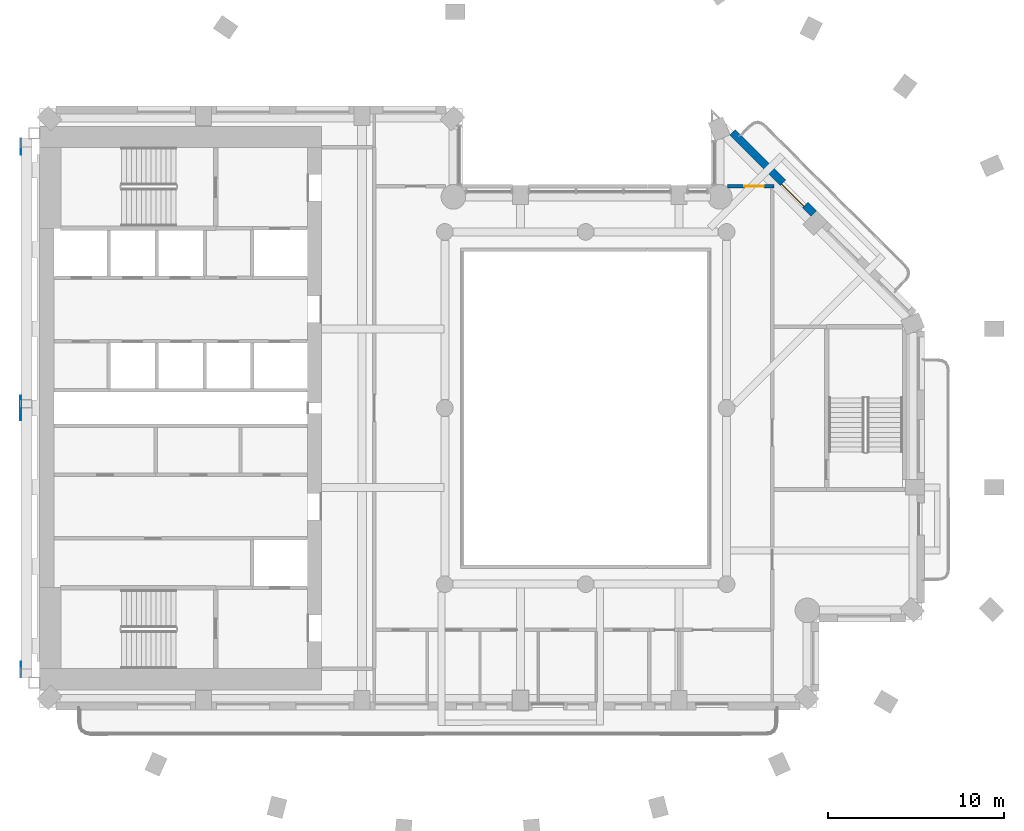
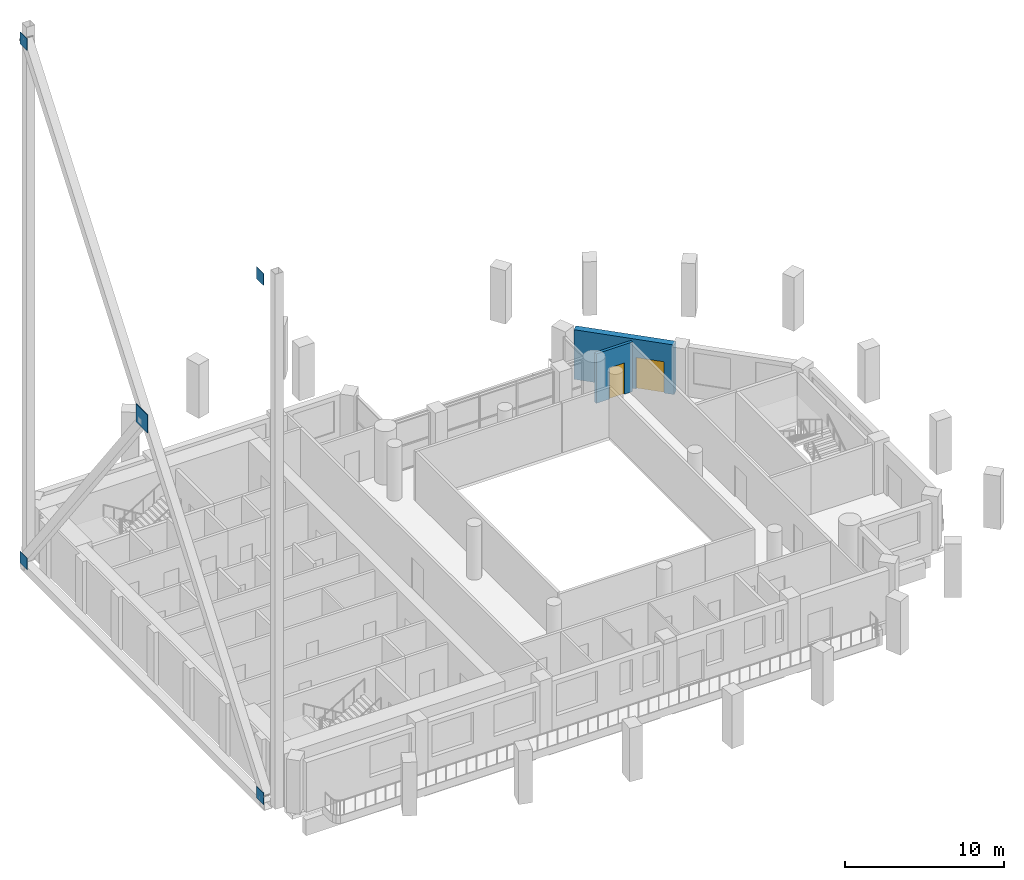
# One storey, part 7 of 16: 5 discrete accessories, 2 doors, 2 walls, 2 openings.
"""IFC4 building model written with IfcOpenShell, lengths in metres."""

from ifc_helpers import new_model, si_unit, direction, frame, frame_2d, origin, origin_2d, place, context, subcontext, project, spatial, rectangle, extrude, material, layer, layer_set, material_profile, profile_set, type_object, element, fill, save


model = new_model("IFC4")

# Units and contexts
model_context = context("Model", 3, precision=1e-05, world=origin(), true_north=direction((0.0, 1.0)))
body_context = subcontext(model_context, "Body", "Model", "MODEL_VIEW")
ifc_project = project(units=[si_unit("LENGTHUNIT", "METRE"), si_unit("AREAUNIT", "SQUARE_METRE"), si_unit("VOLUMEUNIT", "CUBIC_METRE"), si_unit("PLANEANGLEUNIT", "RADIAN"), si_unit("MASSUNIT", "GRAM", prefix="KILO")], contexts=[model_context])

# Site, building, storey
site_placement = place(None, origin())
site = spatial("IfcSite", under=ifc_project, at=site_placement, CompositionType="ELEMENT")
building_placement = place(site_placement, origin())
building = spatial("IfcBuilding", under=site, at=building_placement, Name="Cypress Arch Tower", CompositionType="ELEMENT")
storey_placement = place(building_placement, frame((0.0, 0.0, 197.39990234375)))
storey = spatial("IfcBuildingStorey", under=building, at=storey_placement, Name="L43", CompositionType="ELEMENT", Elevation=197.39990234375)

# Wall, opening, door
ifc_material_1 = material(Name="Brick (red buff blend)", Category="masonry")
ifc_layer_1 = layer(ifc_material_1, 0.449951171875)
ifc_layer_set_1 = layer_set([ifc_layer_1], Name="Brick pier and spandrel wall BW450")
wall_type_1 = type_object("IfcWallType", Name="Brick pier and spandrel wall BW450", PredefinedType="SOLIDWALL", material=ifc_layer_set_1)
wall_1_placement = place(storey_placement, frame((13.94091796875, 11.052978515625, 0.0), z_axis=(0.0, 0.0, 1.0), x_axis=(-0.707106781187, 0.707106781187, 0.0)))
wall_1 = element("IfcWall", 1, at=wall_1_placement, inside=storey, type_object=wall_type_1, Name="Brick wall L43 B05.1", PredefinedType="SOLIDWALL", context=body_context, shape_type="SweptSolid", body=[
    extrude(rectangle(XDim=6.505126953125, YDim=0.449951171875, at=frame_2d((3.25244140625, 0.0))), origin(), (0.0, 0.0, 1.0), 3.800048828125),
])
opening_1_placement = place(wall_1_placement, frame((0.665283203125, 0.0, 0.0)))
opening_1 = element("IfcOpeningElement", 2, at=opening_1_placement, cuts=wall_1, Name="Opening D-L43-B05.1.1", PredefinedType="OPENING", context=body_context, shape_type="SweptSolid", body=[
    extrude(rectangle(XDim=1.800048828125, YDim=2.39990234375, at=frame_2d((0.89990234375, 1.199951171875))), frame((0.0, 0.23486328125, 0.0), z_axis=(0.0, -1.0, 0.0), x_axis=(1.0, 0.0, 0.0)), (0.0, 0.0, 1.0), 0.469970703125),
])
ifc_material_2 = material(Name="Anodised aluminium, bronze finish, laminated low-emissivity double glazing, large-missile impact rated", Category="aluminium")
door_type_1 = type_object("IfcDoorType", Name="Balcony sliding door 1800x2400", OperationType="SLIDING_TO_LEFT", PredefinedType="DOOR", material=ifc_material_2)
door_1_placement = place(opening_1_placement, origin())
door_1 = element("IfcDoor", 3, at=door_1_placement, inside=storey, type_object=door_type_1, Name="Balcony door L43 B05.1.1", OperationType="SLIDING_TO_LEFT", OverallHeight=2.39990234375, OverallWidth=1.800048828125, PredefinedType="DOOR", context=body_context, shape_type="SweptSolid", body=[
    extrude(rectangle(XDim=1.800048828125, YDim=2.39990234375, at=frame_2d((0.89990234375, 1.199951171875))), frame((0.0, 0.1298828125, 0.0), z_axis=(0.0, -1.0, 0.0), x_axis=(1.0, 0.0, 0.0)), (0.0, 0.0, 1.0), 0.050048828125),
])
fill(opening_1, door_1)

ifc_material_3 = material(Name="Concrete blockwork, plastered, rated", Category="masonry")
ifc_layer_2 = layer(ifc_material_3, 0.199951171875)
ifc_layer_set_2 = layer_set([ifc_layer_2], Name="Corridor wall FW200")
wall_type_2 = type_object("IfcWallType", Name="Corridor wall FW200", PredefinedType="PARTITIONING", material=ifc_layer_set_2)
wall_2_placement = place(storey_placement, frame((9.064697265625, 12.60009765625, 0.0), z_axis=(0.0, 0.0, 1.0), x_axis=(1.0, 0.0, 0.0)))
wall_2 = element("IfcWall", 4, at=wall_2_placement, inside=storey, type_object=wall_type_2, Name="Corridor wall", PredefinedType="PARTITIONING", context=body_context, shape_type="SweptSolid", body=[
    extrude(rectangle(XDim=2.63525390625, YDim=0.199951171875, at=frame_2d((1.317626953125, 0.0))), origin(), (0.0, 0.0, 1.0), 3.800048828125),
])
opening_2_placement = place(wall_2_placement, frame((0.949951171875, 0.0, 0.0)))
opening_2 = element("IfcOpeningElement", 5, at=opening_2_placement, cuts=wall_2, Name="Opening D01", PredefinedType="OPENING", context=body_context, shape_type="SweptSolid", body=[
    extrude(rectangle(XDim=1.10009765625, YDim=2.39990234375, at=frame_2d((0.550048828125, 1.199951171875))), frame((0.0, 0.10986328125, 0.0), z_axis=(0.0, -1.0, 0.0), x_axis=(1.0, 0.0, 0.0)), (0.0, 0.0, 1.0), 0.219970703125),
])
ifc_material_4 = material(Name="Timber flush door, fire resisting, self-closing", Category="wood")
door_type_2 = type_object("IfcDoorType", Name="Unit entrance door D01 1100x2400", OperationType="SINGLE_SWING_LEFT", PredefinedType="DOOR", material=ifc_material_4)
door_2_placement = place(opening_2_placement, origin())
door_2 = element("IfcDoor", 6, at=door_2_placement, inside=storey, type_object=door_type_2, Name="Unit entrance door", OperationType="SINGLE_SWING_RIGHT", OverallHeight=2.39990234375, OverallWidth=1.10009765625, PredefinedType="DOOR", context=body_context, shape_type="SweptSolid", body=[
    extrude(rectangle(XDim=1.10009765625, YDim=2.39990234375, at=frame_2d((0.550048828125, 1.199951171875))), frame((0.0, 0.02490234375, 0.0), z_axis=(0.0, -1.0, 0.0), x_axis=(1.0, 0.0, 0.0)), (0.0, 0.0, 1.0), 0.050048828125),
])
fill(opening_2, door_2)

# Discrete accessories
ifc_material_5 = material(Name="Steel ASTM A992", Category="steel")
ifc_material_profile_1 = material_profile(ifc_material_5, rectangle(XDim=0.89990234375, YDim=0.89990234375, at=origin_2d()), Name="PL 30 900x900")
ifc_profile_set_1 = profile_set([ifc_material_profile_1], Name="Steel ASTM A992")
discrete_accessory_type_1 = type_object("IfcDiscreteAccessoryType", Name="Gusset plate 900x900x30 Steel ASTM A992", PredefinedType="ANCHORPLATE", material=ifc_profile_set_1)
for number, where, z_axis, x_axis, name in (
    (7, (-31.0595703125, -14.84326171875, 0.60498046875), (-1.0, 0.0, 0.0), (0.0, -1.0, 0.0), "Gusset plate west bracing 4SB"),
    (8, (-31.0595703125, -14.84326171875, 40.395263671875), (-1.0, 0.0, 0.0), (0.0, -1.0, 0.0), "Gusset plate west bracing 4ST"),
    (9, (-31.0595703125, 14.84326171875, 0.60498046875), (-1.0, 0.0, 0.0), (0.0, -1.0, 0.0), "Gusset plate west bracing 4NB"),
    (10, (-31.0595703125, 14.84326171875, 40.395263671875), (-1.0, 0.0, 0.0), (0.0, -1.0, 0.0), "Gusset plate west bracing 4NT"),
):
    element("IfcDiscreteAccessory", number, at=place(storey_placement, frame(where, z_axis=z_axis, x_axis=x_axis)), inside=storey, type_object=discrete_accessory_type_1, Name=name, PredefinedType="ANCHORPLATE", context=body_context, shape_type="SweptSolid", body=[
        extrude(rectangle(XDim=0.89990234375, YDim=0.89990234375, at=origin_2d()), origin(), (0.0, 0.0, 1.0), 0.030029296875),
    ])
ifc_material_6 = material(Name="Steel ASTM A992", Category="steel")
ifc_material_profile_2 = material_profile(ifc_material_6, rectangle(XDim=1.39990234375, YDim=1.39990234375, at=origin_2d()), Name="PL 40 1400x1400")
ifc_profile_set_2 = profile_set([ifc_material_profile_2], Name="Steel ASTM A992")
discrete_accessory_type_2 = type_object("IfcDiscreteAccessoryType", Name="Node plate 1400x1400x40 Steel ASTM A992", PredefinedType="ANCHORPLATE", material=ifc_profile_set_2)
discrete_accessory_placement = place(storey_placement, frame((-31.0595703125, 0.0, 20.5), z_axis=(-1.0, 0.0, 0.0), x_axis=(0.0, -1.0, 0.0)))
element("IfcDiscreteAccessory", 11, at=discrete_accessory_placement, inside=storey, type_object=discrete_accessory_type_2, Name="Node plate west bracing 4", PredefinedType="ANCHORPLATE", context=body_context, shape_type="SweptSolid", body=[
    extrude(rectangle(XDim=1.39990234375, YDim=1.39990234375, at=origin_2d()), origin(), (0.0, 0.0, 1.0), 0.0400390625),
])

save(model, "model.ifc")
